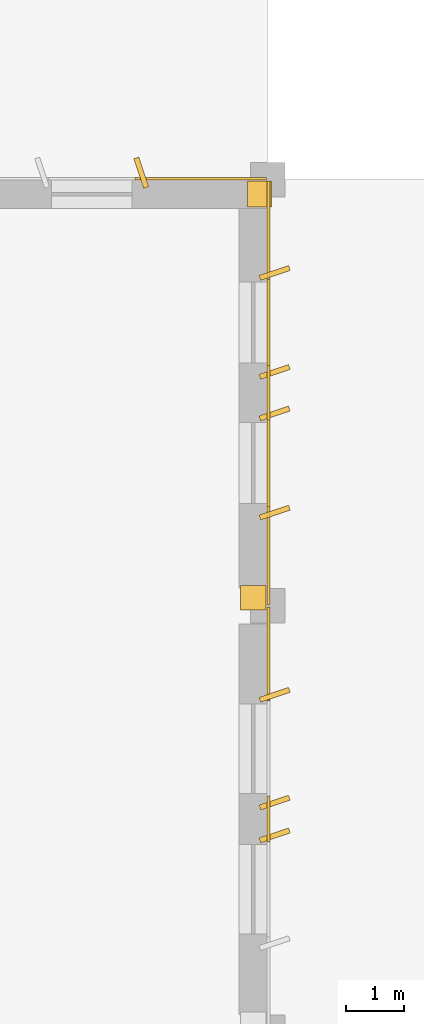
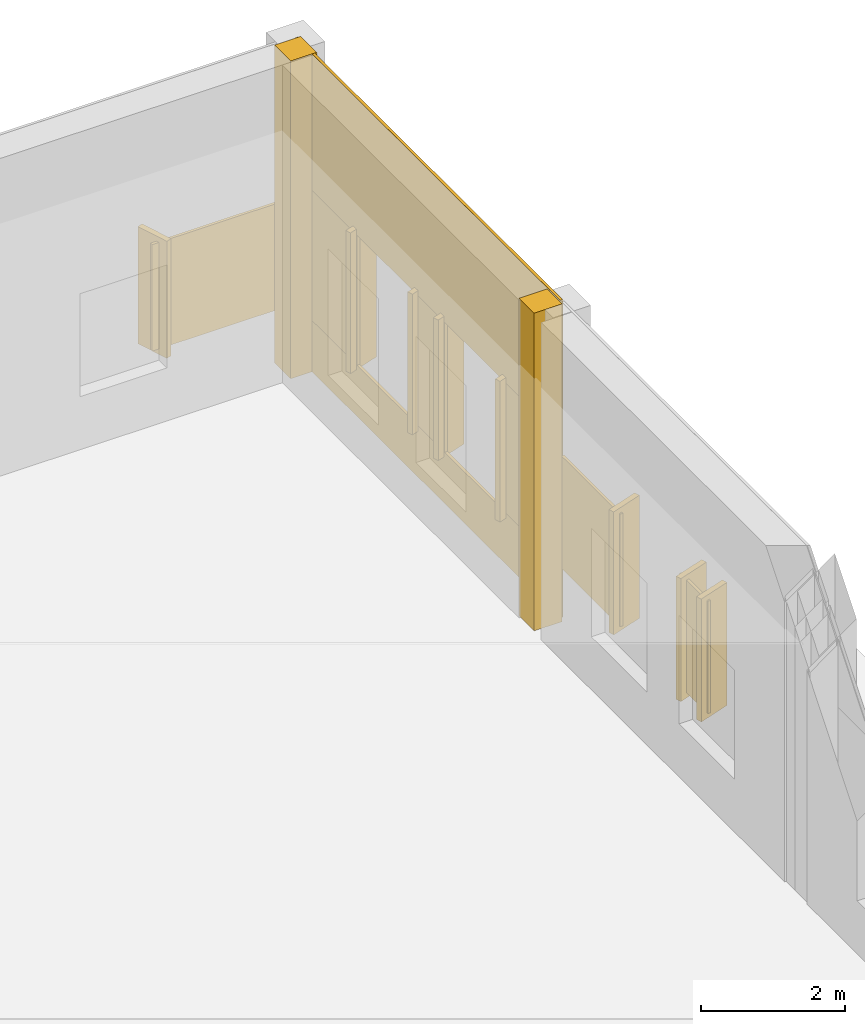
# One storey, part 56 of 56: 18 coverings.
"""IFC4 building model written with IfcOpenShell, lengths in metres."""

import ifcopenshell
import ifcopenshell.guid

model = None  # the IFC model being written
_history = None  # IfcOwnerHistory: only IFC2X3 demands one
_inside = {}  # id of a spatial element -> (the spatial element, [elements in it])
_under = {}  # id of a project, library or spatial element -> (it, [spatial elements below it])
_declared = {}  # id of a project -> (the project, [libraries it declares])
_typed = {}  # id of a type object -> (the type object, [elements of that type])
_made_of = {}  # id of a material, layer set ... -> (it, [elements and type objects made of it])


def new_model(schema):
    """Start an empty IFC model of exactly this schema.

    Asked for "IFC4X3", IfcOpenShell would pick the latest addendum, in which some entities
    have other attributes; the version numbers below select the first issue.
    IFC2X3 requires an IfcOwnerHistory on every rooted entity: one is made here for all.
    """
    global model, _history
    if schema == "IFC4X3":
        model = ifcopenshell.file(schema_version=(4, 3, 0, 0))
    else:
        model = ifcopenshell.file(schema=schema)
    _inside.clear()
    _under.clear()
    _declared.clear()
    _typed.clear()
    _made_of.clear()
    _history = None
    if model.schema == "IFC2X3":
        org = make("IfcOrganization", Name="unknown")
        user = make(
            "IfcPersonAndOrganization",
            ThePerson=make("IfcPerson", FamilyName="unknown"),
            TheOrganization=org,
        )
        app = make(
            "IfcApplication",
            ApplicationDeveloper=org,
            Version="unknown",
            ApplicationFullName="unknown",
            ApplicationIdentifier="unknown",
        )
        _history = make(
            "IfcOwnerHistory",
            OwningUser=user,
            OwningApplication=app,
            ChangeAction="ADDED",
            CreationDate=0,
        )
    return model


def make(cls, **values):
    """One entity of the class cls with the attributes given. An attribute that is None is left unset."""
    return model.create_entity(
        cls, **{name: value for name, value in values.items() if value is not None}
    )


def rooted(cls, **values):
    """An entity with a GlobalId (a new one), such as an element, a storey or a relation."""
    return make(cls, GlobalId=ifcopenshell.guid.new(), OwnerHistory=_history, **values)


def si_unit(unit_type, name, prefix=None):
    """IfcSIUnit, for example si_unit("LENGTHUNIT", "METRE", prefix="MILLI")."""
    return make("IfcSIUnit", UnitType=unit_type, Prefix=prefix, Name=name)


def assignment(units):
    """IfcUnitAssignment: the units of a project."""
    return None if units is None else make("IfcUnitAssignment", Units=units)


def point(xyz):
    """IfcCartesianPoint."""
    return None if xyz is None else make("IfcCartesianPoint", Coordinates=xyz)


def direction(xyz):
    """IfcDirection."""
    return None if xyz is None else make("IfcDirection", DirectionRatios=xyz)


def frame(location, z_axis=None, x_axis=None):
    """IfcAxis2Placement3D, a coordinate frame: its origin and axes. An axis left out is left unset."""
    return make(
        "IfcAxis2Placement3D",
        Location=point(location),
        Axis=direction(z_axis),
        RefDirection=direction(x_axis),
    )


def frame_2d(location, x_axis=None):
    """IfcAxis2Placement2D, a coordinate frame in the plane: its origin and x axis."""
    return make(
        "IfcAxis2Placement2D", Location=point(location), RefDirection=direction(x_axis)
    )


def origin():
    """The frame at (0, 0, 0) with its axes left unset."""
    return frame((0.0, 0.0, 0.0))


def origin_2d():
    """The frame at (0, 0) in the plane with its x axis left unset."""
    return frame_2d((0.0, 0.0))


def place(relative_to, where):
    """IfcLocalPlacement: puts the frame where relative to a parent placement (None: the world)."""
    return make(
        "IfcLocalPlacement", PlacementRelTo=relative_to, RelativePlacement=where
    )


def context(
    kind, dimensions, precision=None, world=None, true_north=None, identifier=None
):
    """IfcGeometricRepresentationContext, for example the 3D "Model" context."""
    return make(
        "IfcGeometricRepresentationContext",
        ContextIdentifier=identifier,
        ContextType=kind,
        CoordinateSpaceDimension=dimensions,
        Precision=precision,
        WorldCoordinateSystem=world,
        TrueNorth=true_north,
    )


def subcontext(parent, identifier, kind, view, scale=None):
    """IfcGeometricRepresentationSubContext, for example "Body" below "Model"."""
    return make(
        "IfcGeometricRepresentationSubContext",
        ContextIdentifier=identifier,
        ContextType=kind,
        ParentContext=parent,
        TargetScale=scale,
        TargetView=view,
    )


def project(units=None, contexts=None):
    """IfcProject with its units and contexts."""
    return rooted(
        "IfcProject",
        Name="project",
        RepresentationContexts=contexts,
        UnitsInContext=assignment(units),
    )


def spatial(cls, under=None, at=None, **own):
    """A site, building, storey or space (cls), placed at a placement, below another one or the project."""
    s = rooted(cls, ObjectPlacement=at, **own)
    if under is not None:
        _under.setdefault(under.id(), (under, []))[1].append(s)
    return s


def profile(cls, at=None, kind="AREA", **sizes):
    """A parametric profile (cls). Its sizes go by their IFC names, for example OverallWidth=200.0."""
    return make(cls, ProfileType=kind, Position=at, **sizes)


def rectangle(**sizes):
    """IfcRectangleProfileDef."""
    return profile("IfcRectangleProfileDef", **sizes)


def extrude(swept, where, along, depth):
    """IfcExtrudedAreaSolid: the profile swept, set in the frame where, extruded along a direction by depth."""
    return make(
        "IfcExtrudedAreaSolid",
        SweptArea=swept,
        Position=where,
        ExtrudedDirection=direction(along),
        Depth=depth,
    )


def shape(context_of_items, identifier, shape_type, items):
    """IfcShapeRepresentation: the items that make up one representation, for example the "Body"."""
    return make(
        "IfcShapeRepresentation",
        ContextOfItems=context_of_items,
        RepresentationIdentifier=identifier,
        RepresentationType=shape_type,
        Items=items,
    )


def material(Name=None, Category=None):
    """IfcMaterial."""
    return make("IfcMaterial", Name=Name, Category=Category)


def layer(
    of_material, thickness, ventilated=None, Name=None, Category=None, Priority=None
):
    """IfcMaterialLayer: one layer of a wall or slab, of a material (None: an air gap)."""
    return make(
        "IfcMaterialLayer",
        Material=of_material,
        LayerThickness=thickness,
        IsVentilated=ventilated,
        Name=Name,
        Category=Category,
        Priority=Priority,
    )


def layer_set(layers, Name=None):
    """IfcMaterialLayerSet."""
    return make("IfcMaterialLayerSet", MaterialLayers=layers, LayerSetName=Name)


def made_of(thing, what):
    """Note that an element or type object is made of a material, layer set ...; save() writes the relation."""
    if what is not None:
        _made_of.setdefault(what.id(), (what, []))[1].append(thing)
    return thing


def type_object(cls, material=None, **own):
    """A type object (cls), such as IfcWallType, which elements share."""
    return made_of(rooted(cls, **own), material)


def element(
    cls,
    number,
    at=None,
    inside=None,
    cuts=None,
    type_object=None,
    material=None,
    context=None,
    identifier="Body",
    shape_type=None,
    held_by="IfcProductDefinitionShape",
    body=None,
    shapes=None,
    **own,
):
    """One element of the class cls, such as IfcWall. Its Tag is "e" and its number.

    at: its placement. inside: the storey or other place that contains it. cuts: it is an
    opening in that element (IfcRelVoidsElement). A single representation is given by context,
    identifier, shape_type and body (its items); several are given by shapes. held_by: the class
    of the entity that holds the representations. save() writes the other relations.
    """
    e = rooted(cls, Tag="e%d" % number, ObjectPlacement=at, **own)
    if body is not None:
        shapes = [shape(context, identifier, shape_type, body)]
    if shapes is not None:
        e.Representation = make(held_by, Representations=shapes)
    if inside is not None:
        _inside.setdefault(inside.id(), (inside, []))[1].append(e)
    if cuts is not None:
        rooted(
            "IfcRelVoidsElement", RelatingBuildingElement=cuts, RelatedOpeningElement=e
        )
    if type_object is not None:
        _typed.setdefault(type_object.id(), (type_object, []))[1].append(e)
    return made_of(e, material)


def aggregate(whole, parts):
    """IfcRelAggregates: a whole, such as a stair, and the parts it consists of."""
    return rooted("IfcRelAggregates", RelatingObject=whole, RelatedObjects=parts)


def save(model, path):
    """Write the relations noted so far, then the file.

    IfcRelAggregates (storeys below a building ...), IfcRelContainedInSpatialStructure (elements
    in a storey), IfcRelDefinesByType, IfcRelAssociatesMaterial and IfcRelDeclares: one each for
    every whole, place, type object, material and project.
    """
    for whole, parts in _under.values():
        aggregate(whole, parts)
    for where, things in _inside.values():
        rooted(
            "IfcRelContainedInSpatialStructure",
            RelatedElements=things,
            RelatingStructure=where,
        )
    for kind, things in _typed.values():
        rooted("IfcRelDefinesByType", RelatedObjects=things, RelatingType=kind)
    for what, things in _made_of.values():
        rooted("IfcRelAssociatesMaterial", RelatedObjects=things, RelatingMaterial=what)
    for by, libraries in _declared.values():
        rooted("IfcRelDeclares", RelatingContext=by, RelatedDefinitions=libraries)
    model.write(path)


model = new_model("IFC4")

# Units and contexts
model_context = context("Model", 3, precision=1e-05, world=origin(), true_north=direction((0.0, 1.0)))
body_context = subcontext(model_context, "Body", "Model", "MODEL_VIEW")
ifc_project = project(units=[si_unit("LENGTHUNIT", "METRE"), si_unit("AREAUNIT", "SQUARE_METRE"), si_unit("VOLUMEUNIT", "CUBIC_METRE"), si_unit("PLANEANGLEUNIT", "RADIAN"), si_unit("MASSUNIT", "GRAM", prefix="KILO")], contexts=[model_context])

# Site, building, storey
site_placement = place(None, origin())
site = spatial("IfcSite", under=ifc_project, at=site_placement, CompositionType="ELEMENT")
building_placement = place(site_placement, origin())
building = spatial("IfcBuilding", under=site, at=building_placement, Name="Valkorina Park Police Headquarters", CompositionType="ELEMENT")
storey_placement = place(building_placement, origin())
storey = spatial("IfcBuildingStorey", under=building, at=storey_placement, Name="L01", CompositionType="ELEMENT", Elevation=0.0)

# Coverings
ifc_material = material(Name="Precast concrete C40/50", Category="concrete")
ifc_layer = layer(ifc_material, 0.044921875)
ifc_layer_set = layer_set([ifc_layer], Name="Precast concrete C40/50")
covering_type = type_object("IfcCoveringType", Name="COV-CLAD-DOLOMITE", PredefinedType="CLADDING", material=ifc_layer_set)
covering_1_placement = place(storey_placement, frame((161.860107421875, 110.75, 0.0), z_axis=(0.0, 0.0, 1.0), x_axis=(1.0, 0.0, 0.0)))
element("IfcCovering", 1, at=covering_1_placement, inside=storey, type_object=covering_type, Name="L01 Exterior Joint Closure Pilaster B 0452", PredefinedType="CLADDING", context=body_context, shape_type="SweptSolid", body=[
    extrude(rectangle(XDim=0.419921875, YDim=0.449951171875, at=origin_2d()), origin(), (0.0, 0.0, 1.0), 5.39990234375),
])
covering_2_placement = place(storey_placement, frame((159.804443359375, 111.1201171875, 0.77978515625), z_axis=(0.0, 0.0, 1.0), x_axis=(-0.317304656405, 0.948323655206, 0.0)))
element("IfcCovering", 2, at=covering_2_placement, inside=storey, type_object=covering_type, Name="Slanted 18.5-deg Precast Window Slot Fin 0456", PredefinedType="CLADDING", context=body_context, shape_type="SweptSolid", body=[
    extrude(rectangle(XDim=0.5400390625, YDim=0.090087890625, at=origin_2d()), origin(), (0.0, 0.0, 1.0), 1.989990234375),
])
covering_3_placement = place(storey_placement, frame((159.6943359375, 111.014892578125, 0.8701171875), z_axis=(0.0, 0.0, 1.0), x_axis=(1.0, 0.0, 0.0)))
element("IfcCovering", 3, at=covering_3_placement, inside=storey, type_object=covering_type, Name="L01 Calm Concrete Base Slot Pier 0461", PredefinedType="CLADDING", context=body_context, shape_type="SweptSolid", body=[
    extrude(rectangle(XDim=2.28564453125, YDim=0.044921875, at=frame_2d((1.142822265625, 0.0))), origin(), (0.0, 0.0, 1.0), 1.809814453125),
])
covering_4_placement = place(storey_placement, frame((161.75, 103.739990234375, 0.0), z_axis=(0.0, 0.0, 1.0), x_axis=(0.0, 1.0, 0.0)))
element("IfcCovering", 4, at=covering_4_placement, inside=storey, type_object=covering_type, Name="L01 Exterior Joint Closure Pilaster B 0462", PredefinedType="CLADDING", context=body_context, shape_type="SweptSolid", body=[
    extrude(rectangle(XDim=0.419921875, YDim=0.449951171875, at=origin_2d()), origin(), (0.0, 0.0, 1.0), 5.39990234375),
])
for number, where, z_axis, x_axis, name in (
    (5, (162.1201171875, 109.38037109375, 0.7802734375), (0.0, 0.0, 1.0), (0.948323655206, 0.317304656405, 0.0), "Slanted 18.5-deg Precast Window Slot Fin 0463"),
    (6, (162.1201171875, 107.660400390625, 0.7802734375), (0.0, 0.0, 1.0), (0.948323655206, 0.317304656405, 0.0), "Slanted 18.5-deg Precast Window Slot Fin 0464"),
    (7, (162.1201171875, 106.939697265625, 0.7802734375), (0.0, 0.0, 1.0), (0.948323655206, 0.317304656405, 0.0), "Slanted 18.5-deg Precast Window Slot Fin 0465"),
    (8, (162.1201171875, 105.219482421875, 0.7802734375), (0.0, 0.0, 1.0), (0.948323655206, 0.317304656405, 0.0), "Slanted 18.5-deg Precast Window Slot Fin 0466"),
):
    element("IfcCovering", number, at=place(storey_placement, frame(where, z_axis=z_axis, x_axis=x_axis)), inside=storey, type_object=covering_type, Name=name, PredefinedType="CLADDING", context=body_context, shape_type="SweptSolid", body=[
        extrude(rectangle(XDim=0.5400390625, YDim=0.090087890625, at=origin_2d()), origin(), (0.0, 0.0, 1.0), 2.389892578125),
    ])
covering_5_placement = place(storey_placement, frame((162.014892578125, 110.97998046875, 0.0), z_axis=(0.0, 0.0, 1.0), x_axis=(0.0, -1.0, 0.0)))
element("IfcCovering", 9, at=covering_5_placement, inside=storey, type_object=covering_type, Name="L01 Calm Concrete Base Sill Spandrel 0467", PredefinedType="CLADDING", context=body_context, shape_type="SweptSolid", body=[
    extrude(rectangle(XDim=7.35986328125, YDim=0.044921875, at=frame_2d((3.679931640625, 0.0))), origin(), (0.0, 0.0, 1.0), 0.8701171875),
])
covering_6_placement = place(storey_placement, frame((162.014892578125, 110.97998046875, 3.080078125), z_axis=(0.0, 0.0, 1.0), x_axis=(0.0, -1.0, 0.0)))
element("IfcCovering", 10, at=covering_6_placement, inside=storey, type_object=covering_type, Name="L01 Calm Concrete Base Lintel Spandrel 0468", PredefinedType="CLADDING", context=body_context, shape_type="SweptSolid", body=[
    extrude(rectangle(XDim=7.35986328125, YDim=0.044921875, at=frame_2d((3.679931640625, 0.0))), origin(), (0.0, 0.0, 1.0), 2.31982421875),
])
covering_7_placement = place(storey_placement, frame((162.014892578125, 110.97998046875, 0.8701171875), z_axis=(0.0, 0.0, 1.0), x_axis=(0.0, -1.0, 0.0)))
element("IfcCovering", 11, at=covering_7_placement, inside=storey, type_object=covering_type, Name="L01 Calm Concrete Base Slot Pier 0469", PredefinedType="CLADDING", context=body_context, shape_type="SweptSolid", body=[
    extrude(rectangle(XDim=1.70947265625, YDim=0.044921875, at=frame_2d((0.854736328125, 0.0))), origin(), (0.0, 0.0, 1.0), 2.2099609375),
])
covering_8_placement = place(storey_placement, frame((162.014892578125, 107.7705078125, 0.8701171875), z_axis=(0.0, 0.0, 1.0), x_axis=(0.0, -1.0, 0.0)))
element("IfcCovering", 12, at=covering_8_placement, inside=storey, type_object=covering_type, Name="L01 Calm Concrete Base Slot Pier 0470", PredefinedType="CLADDING", context=body_context, shape_type="SweptSolid", body=[
    extrude(rectangle(XDim=0.94091796875, YDim=0.044921875, at=frame_2d((0.470458984375, 0.0))), origin(), (0.0, 0.0, 1.0), 2.2099609375),
])
covering_9_placement = place(storey_placement, frame((162.014892578125, 105.32958984375, 0.8701171875), z_axis=(0.0, 0.0, 1.0), x_axis=(0.0, -1.0, 0.0)))
element("IfcCovering", 13, at=covering_9_placement, inside=storey, type_object=covering_type, Name="L01 Calm Concrete Base Slot Pier 0471", PredefinedType="CLADDING", context=body_context, shape_type="SweptSolid", body=[
    extrude(rectangle(XDim=1.70947265625, YDim=0.044921875, at=frame_2d((0.854736328125, 0.0))), origin(), (0.0, 0.0, 1.0), 2.2099609375),
])
for number, where, z_axis, x_axis, name in (
    (14, (162.1201171875, 102.055419921875, 0.77978515625), (0.0, 0.0, 1.0), (0.948323655206, 0.317304656405, 0.0), "Slanted 18.5-deg Precast Window Slot Fin 0473"),
    (15, (162.1201171875, 100.185302734375, 0.77978515625), (0.0, 0.0, 1.0), (0.948323655206, 0.317304656405, 0.0), "Slanted 18.5-deg Precast Window Slot Fin 0474"),
    (16, (162.1201171875, 99.614501953125, 0.77978515625), (0.0, 0.0, 1.0), (0.948323655206, 0.317304656405, 0.0), "Slanted 18.5-deg Precast Window Slot Fin 0475"),
):
    element("IfcCovering", number, at=place(storey_placement, frame(where, z_axis=z_axis, x_axis=x_axis)), inside=storey, type_object=covering_type, Name=name, PredefinedType="CLADDING", context=body_context, shape_type="SweptSolid", body=[
        extrude(rectangle(XDim=0.5400390625, YDim=0.090087890625, at=origin_2d()), origin(), (0.0, 0.0, 1.0), 2.090087890625),
    ])
covering_10_placement = place(storey_placement, frame((162.014892578125, 103.580078125, 0.8701171875), z_axis=(0.0, 0.0, 1.0), x_axis=(0.0, -1.0, 0.0)))
element("IfcCovering", 17, at=covering_10_placement, inside=storey, type_object=covering_type, Name="L01 Calm Concrete Base Slot Pier 0479", PredefinedType="CLADDING", context=body_context, shape_type="SweptSolid", body=[
    extrude(rectangle(XDim=1.634765625, YDim=0.044921875, at=frame_2d((0.8173828125, 0.0))), origin(), (0.0, 0.0, 1.0), 1.909912109375),
])
covering_11_placement = place(storey_placement, frame((162.014892578125, 100.29541015625, 0.8701171875), z_axis=(0.0, 0.0, 1.0), x_axis=(0.0, -1.0, 0.0)))
element("IfcCovering", 18, at=covering_11_placement, inside=storey, type_object=covering_type, Name="L01 Calm Concrete Base Slot Pier 0480", PredefinedType="CLADDING", context=body_context, shape_type="SweptSolid", body=[
    extrude(rectangle(XDim=0.790771484375, YDim=0.044921875, at=frame_2d((0.3955078125, 0.0))), origin(), (0.0, 0.0, 1.0), 1.909912109375),
])

save(model, "model.ifc")
